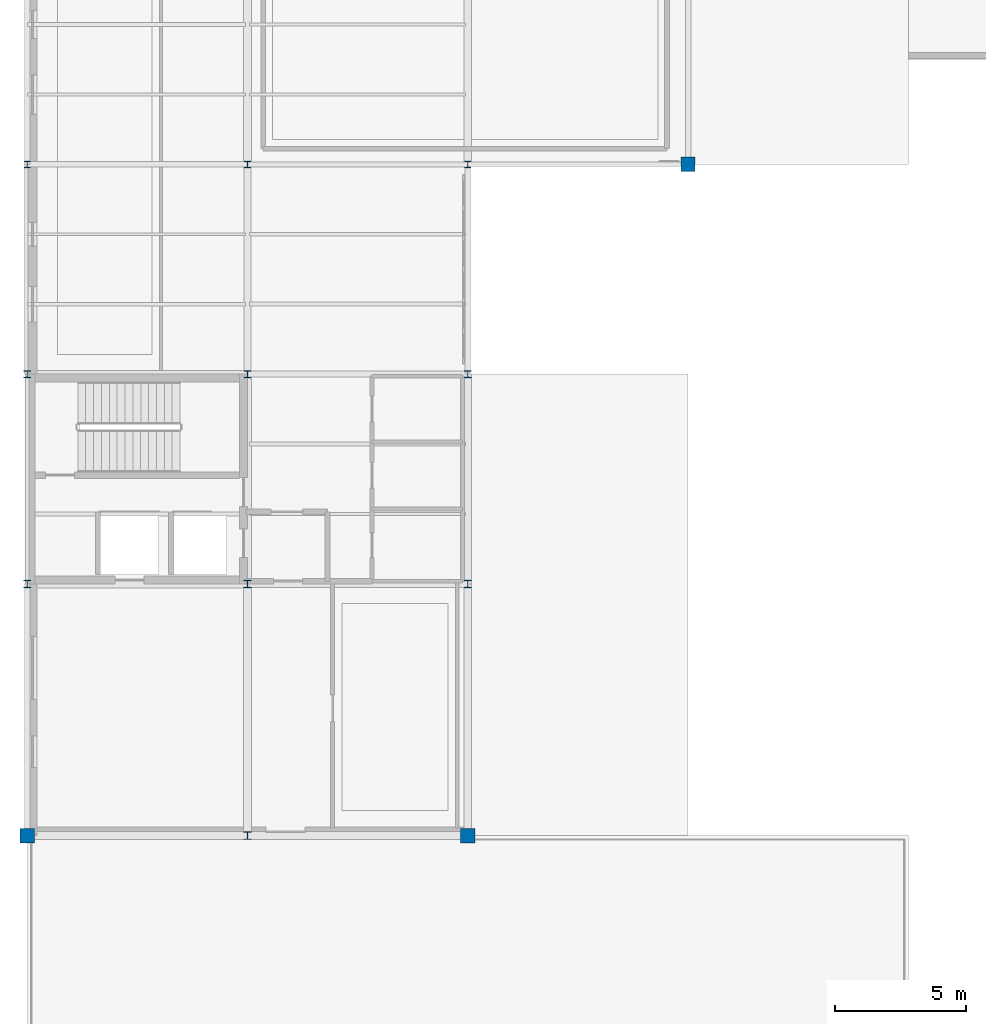
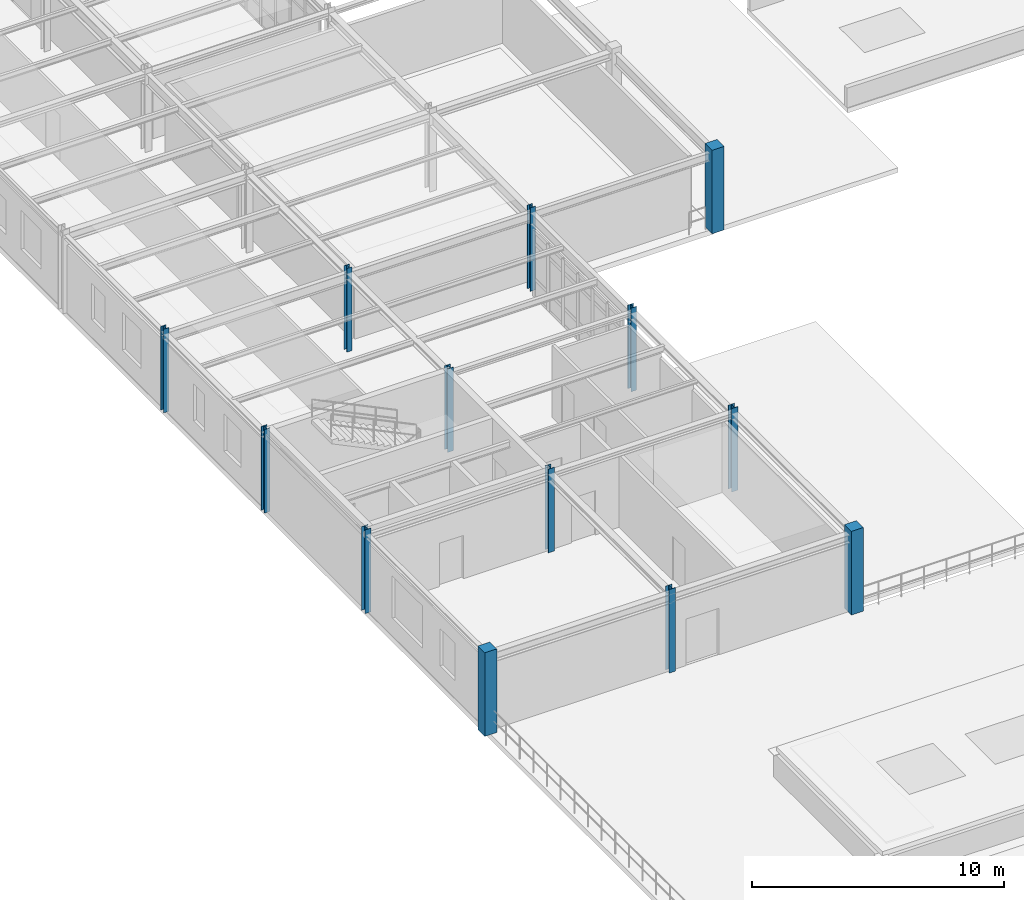
# One storey, part 2 of 70: 13 columns.
"""IFC4 building model written with IfcOpenShell, lengths in metres."""

from ifc_helpers import new_model, si_unit, derived_unit, direction, frame, origin, origin_2d, place, context, subcontext, project, spatial, rectangle, i_section, extrude, material, material_profile, profile_set, type_object, element, save


model = new_model("IFC4")

# Units and contexts
model_context = context("Model", 3, precision=1e-05, world=origin(), true_north=direction((0.0, 1.0)))
body_context = subcontext(model_context, "Body", "Model", "MODEL_VIEW")
ifc_project = project(units=[si_unit("LENGTHUNIT", "METRE"), si_unit("AREAUNIT", "SQUARE_METRE"), si_unit("VOLUMEUNIT", "CUBIC_METRE"), si_unit("PLANEANGLEUNIT", "RADIAN"), si_unit("MASSUNIT", "GRAM", prefix="KILO"), derived_unit("THERMALTRANSMITTANCEUNIT", [(si_unit("POWERUNIT", "WATT"), 1), (si_unit("AREAUNIT", "SQUARE_METRE"), -1), (si_unit("THERMODYNAMICTEMPERATUREUNIT", "KELVIN"), -1)])], contexts=[model_context])

# Site, building, storey
site_placement = place(None, origin())
site = spatial("IfcSite", under=ifc_project, at=site_placement, CompositionType="ELEMENT")
building_placement = place(site_placement, origin())
building = spatial("IfcBuilding", under=site, at=building_placement, Name="Yasenodar Specialist Clinic", CompositionType="ELEMENT")
storey_placement = place(building_placement, frame((0.0, 0.0, 13.199951171875)))
storey = spatial("IfcBuildingStorey", under=building, at=storey_placement, Name="L03", CompositionType="ELEMENT", Elevation=13.199951171875)

# Columns
ifc_material_1 = material(Name="Concrete C35/45", Category="concrete")
ifc_material_profile_1 = material_profile(ifc_material_1, rectangle(XDim=0.550048828125, YDim=0.550048828125, at=origin_2d()), Name="RC 550x550")
ifc_profile_set_1 = profile_set([ifc_material_profile_1], Name="Concrete C35/45")
column_type_1 = type_object("IfcColumnType", Name="COL-RC-550", PredefinedType="COLUMN", material=ifc_profile_set_1)
for number, where, z_axis, x_axis, name in (
    (1, (0.0, 25.199951171875, 0.0), (0.0, 0.0, 1.0), (1.0, 0.0, 0.0), "L03 Column V4-004"),
    (2, (16.800048828125, 25.199951171875, 0.0), (0.0, 0.0, 1.0), (1.0, 0.0, 0.0), "L03 Column V4-034"),
    (3, (25.199951171875, 50.800048828125, 0.0), (0.0, 0.0, 1.0), (1.0, 0.0, 0.0), "L03 Column V4-052"),
):
    element("IfcColumn", number, at=place(storey_placement, frame(where, z_axis=z_axis, x_axis=x_axis)), inside=storey, type_object=column_type_1, Name=name, PredefinedType="COLUMN", context=body_context, shape_type="SweptSolid", body=[
        extrude(rectangle(XDim=0.550048828125, YDim=0.550048828125, at=origin_2d()), origin(), (0.0, 0.0, 1.0), 4.050048828125),
    ])
ifc_material_2 = material(Name="Steel S355", Category="steel")
ifc_material_profile_2 = material_profile(ifc_material_2, i_section(OverallWidth=0.300048828125, OverallDepth=0.2900390625, WebThickness=0.008544921875, FlangeThickness=0.013916015625, FilletRadius=0.027099609375, at=origin_2d()), Name="HEA 300")
ifc_profile_set_2 = profile_set([ifc_material_profile_2], Name="Steel S355")
column_type_2 = type_object("IfcColumnType", Name="COL-ST-HEA300", PredefinedType="COLUMN", material=ifc_profile_set_2)
column_placement = place(storey_placement, frame((8.39990234375, 25.199951171875, 0.0), z_axis=(0.0, 0.0, 1.0), x_axis=(1.0, 0.0, 0.0)))
element("IfcColumn", 4, at=column_placement, inside=storey, type_object=column_type_2, Name="L03 Column V4-019", PredefinedType="COLUMN", context=body_context, shape_type="SweptSolid", body=[
    extrude(i_section(OverallWidth=0.300048828125, OverallDepth=0.2900390625, WebThickness=0.008544921875, FlangeThickness=0.013916015625, FilletRadius=0.027099609375, at=origin_2d()), origin(), (0.0, 0.0, 1.0), 4.050048828125),
])
ifc_material_profile_3 = material_profile(ifc_material_2, i_section(OverallWidth=0.239990234375, OverallDepth=0.239990234375, WebThickness=0.010009765625, FlangeThickness=0.01708984375, FilletRadius=0.02099609375, at=origin_2d()), Name="HEB 240")
ifc_profile_set_3 = profile_set([ifc_material_profile_3], Name="Steel S355")
column_type_3 = type_object("IfcColumnType", Name="COL-ST-HEB240", PredefinedType="COLUMN", material=ifc_profile_set_3)
for number, where, z_axis, x_axis, name in (
    (5, (0.0, 50.800048828125, 0.0), (0.0, 0.0, 1.0), (1.0, 0.0, 0.0), "L03 Column V4-007"),
    (6, (8.39990234375, 50.800048828125, 0.0), (0.0, 0.0, 1.0), (1.0, 0.0, 0.0), "L03 Column V4-022"),
    (7, (16.800048828125, 50.800048828125, 0.0), (0.0, 0.0, 1.0), (1.0, 0.0, 0.0), "L03 Column V4-037"),
):
    element("IfcColumn", number, at=place(storey_placement, frame(where, z_axis=z_axis, x_axis=x_axis)), inside=storey, type_object=column_type_3, Name=name, PredefinedType="COLUMN", context=body_context, shape_type="SweptSolid", body=[
        extrude(i_section(OverallWidth=0.239990234375, OverallDepth=0.239990234375, WebThickness=0.010009765625, FlangeThickness=0.01708984375, FilletRadius=0.02099609375, at=origin_2d()), origin(), (0.0, 0.0, 1.0), 4.050048828125),
    ])
ifc_material_profile_4 = material_profile(ifc_material_2, i_section(OverallWidth=0.260009765625, OverallDepth=0.260009765625, WebThickness=0.010009765625, FlangeThickness=0.017578125, FilletRadius=0.02392578125, at=origin_2d()), Name="HEB 260")
ifc_profile_set_4 = profile_set([ifc_material_profile_4], Name="Steel S355")
column_type_4 = type_object("IfcColumnType", Name="COL-ST-HEB260", PredefinedType="COLUMN", material=ifc_profile_set_4)
for number, where, z_axis, x_axis, name in (
    (8, (0.0, 42.800048828125, 0.0), (0.0, 0.0, 1.0), (1.0, 0.0, 0.0), "L03 Column V4-006"),
    (9, (8.39990234375, 42.800048828125, 0.0), (0.0, 0.0, 1.0), (1.0, 0.0, 0.0), "L03 Column V4-021"),
    (10, (16.800048828125, 42.800048828125, 0.0), (0.0, 0.0, 1.0), (1.0, 0.0, 0.0), "L03 Column V4-036"),
):
    element("IfcColumn", number, at=place(storey_placement, frame(where, z_axis=z_axis, x_axis=x_axis)), inside=storey, type_object=column_type_4, Name=name, PredefinedType="COLUMN", context=body_context, shape_type="SweptSolid", body=[
        extrude(i_section(OverallWidth=0.260009765625, OverallDepth=0.260009765625, WebThickness=0.010009765625, FlangeThickness=0.017578125, FilletRadius=0.02392578125, at=origin_2d()), origin(), (0.0, 0.0, 1.0), 4.050048828125),
    ])
ifc_material_profile_5 = material_profile(ifc_material_2, i_section(OverallWidth=0.280029296875, OverallDepth=0.280029296875, WebThickness=0.010498046875, FlangeThickness=0.01806640625, FilletRadius=0.02392578125, at=origin_2d()), Name="HEB 280")
ifc_profile_set_5 = profile_set([ifc_material_profile_5], Name="Steel S355")
column_type_5 = type_object("IfcColumnType", Name="COL-ST-HEB280", PredefinedType="COLUMN", material=ifc_profile_set_5)
for number, where, z_axis, x_axis, name in (
    (11, (0.0, 34.800048828125, 0.0), (0.0, 0.0, 1.0), (1.0, 0.0, 0.0), "L03 Column V4-005"),
    (12, (8.39990234375, 34.800048828125, 0.0), (0.0, 0.0, 1.0), (1.0, 0.0, 0.0), "L03 Column V4-020"),
    (13, (16.800048828125, 34.800048828125, 0.0), (0.0, 0.0, 1.0), (1.0, 0.0, 0.0), "L03 Column V4-035"),
):
    element("IfcColumn", number, at=place(storey_placement, frame(where, z_axis=z_axis, x_axis=x_axis)), inside=storey, type_object=column_type_5, Name=name, PredefinedType="COLUMN", context=body_context, shape_type="SweptSolid", body=[
        extrude(i_section(OverallWidth=0.280029296875, OverallDepth=0.280029296875, WebThickness=0.010498046875, FlangeThickness=0.01806640625, FilletRadius=0.02392578125, at=origin_2d()), origin(), (0.0, 0.0, 1.0), 4.050048828125),
    ])

save(model, "model.ifc")
